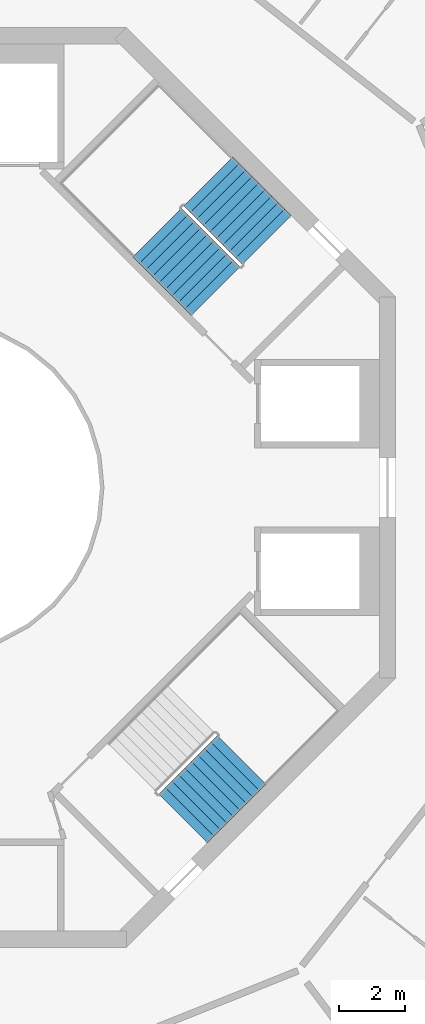
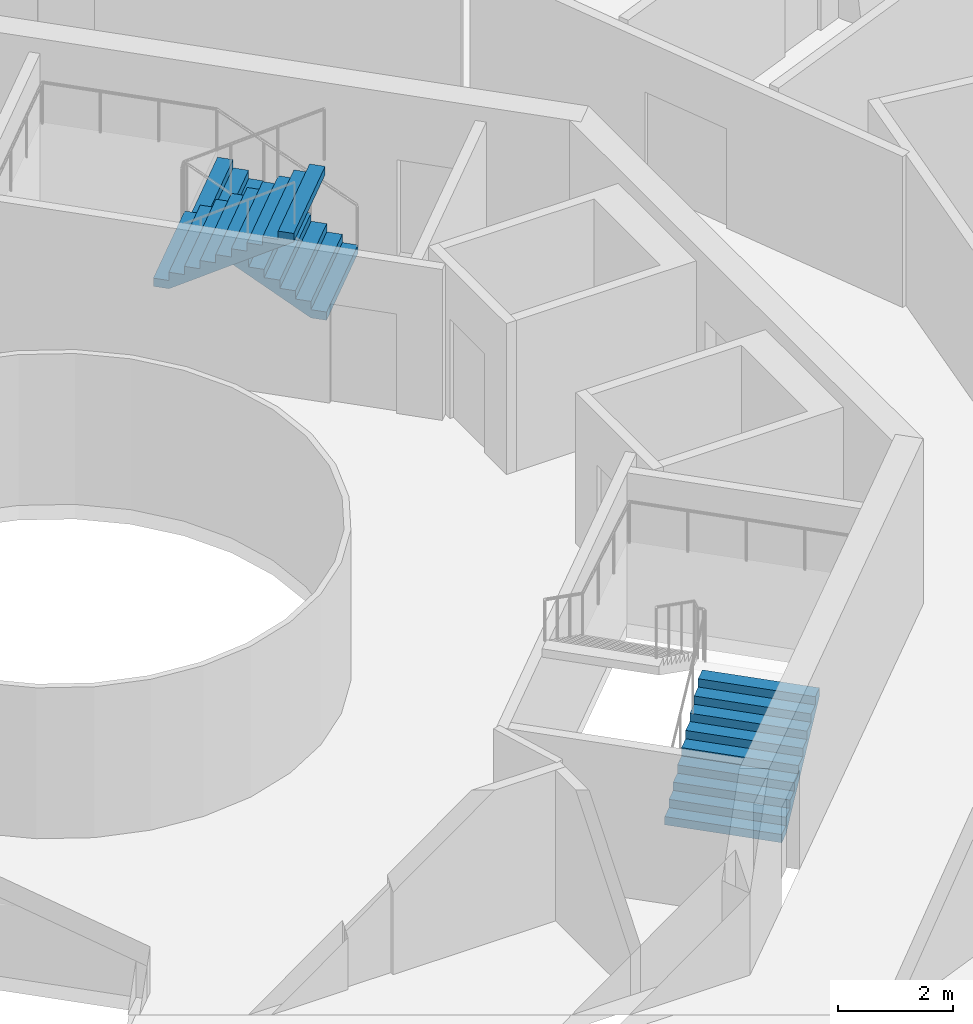
# One storey, part 22 of 23: 3 stair flights, 2 elements without a shape of their own.
"""IFC4 building model written with IfcOpenShell, lengths in metres."""

from ifc_helpers import new_model, si_unit, direction, frame, origin, place, context, subcontext, project, spatial, triangles, material, type_object, element, aggregate, save


model = new_model("IFC4")

# Units and contexts
model_context = context("Model", 3, precision=1e-05, world=origin(), true_north=direction((0.0, 1.0)))
body_context = subcontext(model_context, "Body", "Model", "MODEL_VIEW")
ifc_project = project(units=[si_unit("LENGTHUNIT", "METRE"), si_unit("AREAUNIT", "SQUARE_METRE"), si_unit("VOLUMEUNIT", "CUBIC_METRE"), si_unit("PLANEANGLEUNIT", "RADIAN"), si_unit("MASSUNIT", "GRAM", prefix="KILO")], contexts=[model_context])

# Site, building, storey
site_placement = place(None, origin())
site = spatial("IfcSite", under=ifc_project, at=site_placement, CompositionType="ELEMENT")
building_placement = place(site_placement, origin())
building = spatial("IfcBuilding", under=site, at=building_placement, Name="Verdalira Terraces Hotel", CompositionType="ELEMENT")
storey_placement = place(building_placement, frame((0.0, 0.0, 244.5)))
storey = spatial("IfcBuildingStorey", under=building, at=storey_placement, Name="L60", CompositionType="ELEMENT", Elevation=244.5)

# Stair, stair flights
ifc_material_1 = material(Name="Concrete C40", Category="concrete")
stair_type = type_object("IfcStairType", Name="Core stair 20 risers 2100 mm wide", PredefinedType="HALF_TURN_STAIR", material=ifc_material_1)
stair_1_placement = place(storey_placement, origin())
stair_1 = element("IfcStair", 1, at=stair_1_placement, inside=storey, type_object=stair_type, Name="L60 Exit stair ST1", PredefinedType="HALF_TURN_STAIR")
ifc_material_2 = material(Name="Concrete C40", Category="concrete")
stair_flight_type = type_object("IfcStairFlightType", Name="Core stair flight 20 risers 2100 mm wide", PredefinedType="STRAIGHT", material=ifc_material_2)
stair_flight_1_placement = place(storey_placement, frame((10.076172, 7.530762, 0.0), z_axis=(0.0, 0.0, 1.0), x_axis=(-0.707106781, 0.707106781, 0.0)))
stair_flight_1 = element("IfcStairFlight", 2, at=stair_flight_1_placement, type_object=stair_flight_type, Name="ST1 flight 1", NumberOfRisers=10, NumberOfTreads=9, PredefinedType="STRAIGHT", RiserHeight=0.175, TreadLength=0.28, context=body_context, shape_type="Tessellation", body=[
    triangles([(0.0, 1.050049, 0.0), (0.282715, 1.050049, 0.0), (2.52002, 1.050049, 1.398193), (0.0, -1.050049, 0.0), (0.282715, -1.050049, 0.0), (2.52002, -1.050049, 1.398193), (2.52002, 1.050049, 1.574951), (2.23999, 1.050049, 1.574951), (2.52002, -1.050049, 1.574951), (2.23999, -1.050049, 1.574951), (2.23999, 1.050049, 1.399902), (2.23999, -1.050049, 1.399902), (1.959961, 1.050049, 1.399902), (1.959961, -1.050049, 1.399902), (1.959961, 1.050049, 1.225098), (1.959961, -1.050049, 1.225098), (1.679932, 1.050049, 1.225098), (1.679932, 1.050049, 1.050049), (1.679932, -1.050049, 1.225098), (1.679932, -1.050049, 1.050049), (1.399902, 1.050049, 1.050049), (1.399902, 1.050049, 0.875), (1.399902, -1.050049, 1.050049), (1.399902, -1.050049, 0.875), (1.120117, 1.050049, 0.875), (1.120117, 1.050049, 0.699951), (1.120117, -1.050049, 0.875), (1.120117, -1.050049, 0.699951), (0.840088, 1.050049, 0.699951), (0.840088, 1.050049, 0.524902), (0.840088, -1.050049, 0.699951), (0.840088, -1.050049, 0.524902), (0.560059, 1.050049, 0.524902), (0.560059, 1.050049, 0.350098), (0.560059, -1.050049, 0.524902), (0.560059, -1.050049, 0.350098), (0.280029, 1.050049, 0.350098), (0.280029, 1.050049, 0.175049), (0.280029, -1.050049, 0.350098), (0.280029, -1.050049, 0.175049), (0.0, 1.050049, 0.175049), (0.0, -1.050049, 0.175049), (0.0, -0.984421, 0.0), (0.0, -0.984421, 0.175049), (0.0, -0.918793, 0.0), (0.0, -0.918793, 0.175049), (0.0, -0.853165, 0.0), (0.0, -0.853165, 0.175049), (0.0, -0.787537, 0.0), (0.0, -0.787537, 0.175049), (0.0, -0.721909, 0.0), (0.0, -0.721909, 0.175049), (0.0, -0.656281, 0.0), (0.0, -0.656281, 0.175049), (0.0, -0.590652, 0.0), (0.0, -0.590652, 0.175049), (0.0, -0.525024, 0.0), (0.0, -0.525024, 0.175049), (0.0, -0.459396, 0.0), (0.0, -0.459396, 0.175049), (0.0, -0.393768, 0.0), (0.0, -0.393768, 0.175049), (0.0, -0.32814, 0.0), (0.0, -0.32814, 0.175049), (0.0, -0.262512, 0.0), (0.0, -0.262512, 0.175049), (0.0, -0.196884, 0.0), (0.0, -0.196884, 0.175049), (0.0, -0.131256, 0.0), (0.0, -0.131256, 0.175049), (0.0, -0.065628, 0.0), (0.0, -0.065628, 0.175049), (0.0, 0.0, 0.0), (0.0, 0.0, 0.175049), (0.0, 0.065628, 0.0), (0.0, 0.065628, 0.175049), (0.0, 0.131256, 0.0), (0.0, 0.131256, 0.175049), (0.0, 0.196884, 0.0), (0.0, 0.196884, 0.175049), (0.0, 0.262512, 0.0), (0.0, 0.262512, 0.175049), (0.0, 0.32814, 0.0), (0.0, 0.32814, 0.175049), (0.0, 0.393768, 0.0), (0.0, 0.393768, 0.175049), (0.0, 0.459396, 0.0), (0.0, 0.459396, 0.175049), (0.0, 0.525024, 0.0), (0.0, 0.525024, 0.175049), (0.0, 0.590652, 0.0), (0.0, 0.590652, 0.175049), (0.0, 0.656281, 0.0), (0.0, 0.656281, 0.175049), (0.0, 0.721909, 0.0), (0.0, 0.721909, 0.175049), (0.0, 0.787537, 0.0), (0.0, 0.787537, 0.175049), (0.0, 0.853165, 0.0), (0.0, 0.853165, 0.175049), (0.0, 0.918793, 0.0), (0.0, 0.918793, 0.175049), (0.0, 0.984421, 0.0), (0.0, 0.984421, 0.175049), (2.52002, -0.984421, 1.574951), (2.52002, -0.918793, 1.574951), (2.52002, -0.853165, 1.574951), (2.52002, -0.787537, 1.574951), (2.52002, -0.721909, 1.574951), (2.52002, -0.656281, 1.574951), (2.52002, -0.590652, 1.574951), (2.52002, -0.525024, 1.574951), (2.52002, -0.459396, 1.574951), (2.52002, -0.393768, 1.574951), (2.52002, -0.32814, 1.574951), (2.52002, -0.262512, 1.574951), (2.52002, -0.196884, 1.574951), (2.52002, -0.131256, 1.574951), (2.52002, -0.065628, 1.574951), (2.52002, 0.0, 1.574951), (2.52002, 0.065628, 1.574951), (2.52002, 0.131256, 1.574951), (2.52002, 0.196884, 1.574951), (2.52002, 0.262512, 1.574951), (2.52002, 0.32814, 1.574951), (2.52002, 0.393768, 1.574951), (2.52002, 0.459396, 1.574951), (2.52002, 0.525024, 1.574951), (2.52002, 0.590652, 1.574951), (2.52002, 0.656281, 1.574951), (2.52002, 0.721909, 1.574951), (2.52002, 0.787537, 1.574951), (2.52002, 0.853165, 1.574951), (2.52002, 0.918793, 1.574951), (2.52002, 0.984421, 1.574951), (2.52002, -0.984421, 1.398193), (2.52002, -0.918793, 1.398193), (2.52002, -0.853165, 1.398193), (2.52002, -0.787537, 1.398193), (2.52002, -0.721909, 1.398193), (2.52002, -0.656281, 1.398193), (2.52002, -0.590652, 1.398193), (2.52002, -0.525024, 1.398193), (2.52002, -0.459396, 1.398193), (2.52002, -0.393768, 1.398193), (2.52002, -0.32814, 1.398193), (2.52002, -0.262512, 1.398193), (2.52002, -0.196884, 1.398193), (2.52002, -0.131256, 1.398193), (2.52002, -0.065628, 1.398193), (2.52002, 0.0, 1.398193), (2.52002, 0.065628, 1.398193), (2.52002, 0.131256, 1.398193), (2.52002, 0.196884, 1.398193), (2.52002, 0.262512, 1.398193), (2.52002, 0.32814, 1.398193), (2.52002, 0.393768, 1.398193), (2.52002, 0.459396, 1.398193), (2.52002, 0.525024, 1.398193), (2.52002, 0.590652, 1.398193), (2.52002, 0.656281, 1.398193), (2.52002, 0.721909, 1.398193), (2.52002, 0.787537, 1.398193), (2.52002, 0.853165, 1.398193), (2.52002, 0.918793, 1.398193), (2.52002, 0.984421, 1.398193)], [[1, 3, 2], [4, 5, 6], [3, 8, 7], [6, 9, 10], [3, 11, 8], [6, 10, 12], [3, 13, 11], [6, 12, 14], [3, 15, 13], [6, 14, 16], [15, 18, 17], [16, 19, 20], [3, 18, 15], [6, 16, 20], [18, 22, 21], [20, 23, 24], [3, 22, 18], [6, 20, 24], [22, 26, 25], [24, 27, 28], [3, 26, 22], [6, 24, 28], [26, 30, 29], [28, 31, 32], [3, 30, 26], [6, 28, 32], [1, 30, 3], [4, 6, 32], [30, 34, 33], [32, 35, 36], [34, 38, 37], [36, 39, 40], [30, 38, 34], [32, 36, 40], [1, 38, 30], [4, 32, 40], [38, 1, 41], [40, 42, 4], [4, 44, 43], [4, 42, 44], [43, 46, 45], [43, 44, 46], [45, 48, 47], [45, 46, 48], [47, 50, 49], [47, 48, 50], [49, 52, 51], [49, 50, 52], [51, 54, 53], [51, 52, 54], [53, 56, 55], [53, 54, 56], [55, 58, 57], [55, 56, 58], [57, 60, 59], [57, 58, 60], [59, 62, 61], [59, 60, 62], [61, 64, 63], [61, 62, 64], [63, 66, 65], [63, 64, 66], [65, 68, 67], [65, 66, 68], [67, 70, 69], [67, 68, 70], [69, 72, 71], [69, 70, 72], [71, 74, 73], [71, 72, 74], [73, 76, 75], [73, 74, 76], [75, 78, 77], [75, 76, 78], [77, 80, 79], [77, 78, 80], [79, 82, 81], [79, 80, 82], [81, 84, 83], [81, 82, 84], [83, 86, 85], [83, 84, 86], [85, 88, 87], [85, 86, 88], [87, 90, 89], [87, 88, 90], [89, 92, 91], [89, 90, 92], [91, 94, 93], [91, 92, 94], [93, 96, 95], [93, 94, 96], [95, 98, 97], [95, 96, 98], [97, 100, 99], [97, 98, 100], [99, 102, 101], [99, 100, 102], [101, 104, 103], [101, 102, 104], [103, 41, 1], [103, 104, 41], [42, 40, 44], [44, 40, 46], [46, 40, 48], [48, 40, 50], [50, 40, 52], [52, 40, 54], [54, 40, 56], [56, 40, 58], [58, 40, 60], [60, 40, 62], [62, 40, 64], [64, 40, 66], [66, 40, 68], [68, 40, 70], [70, 40, 72], [72, 40, 74], [74, 40, 76], [76, 40, 78], [78, 40, 80], [80, 40, 82], [82, 40, 84], [84, 40, 86], [86, 40, 88], [88, 40, 90], [90, 40, 92], [92, 40, 94], [94, 40, 96], [96, 40, 98], [98, 40, 100], [100, 40, 102], [102, 40, 104], [104, 40, 41], [41, 40, 38], [40, 37, 38], [40, 39, 37], [39, 34, 37], [39, 36, 34], [36, 33, 34], [36, 35, 33], [35, 30, 33], [35, 32, 30], [32, 29, 30], [32, 31, 29], [31, 26, 29], [31, 28, 26], [28, 25, 26], [28, 27, 25], [27, 22, 25], [27, 24, 22], [24, 21, 22], [24, 23, 21], [23, 18, 21], [23, 20, 18], [20, 17, 18], [20, 19, 17], [19, 15, 17], [19, 16, 15], [16, 13, 15], [16, 14, 13], [14, 11, 13], [14, 12, 11], [12, 8, 11], [12, 10, 8], [9, 105, 10], [105, 106, 10], [106, 107, 10], [107, 108, 10], [108, 109, 10], [109, 110, 10], [110, 111, 10], [111, 112, 10], [112, 113, 10], [113, 114, 10], [114, 115, 10], [115, 116, 10], [116, 117, 10], [117, 118, 10], [118, 119, 10], [119, 120, 10], [120, 121, 10], [121, 122, 10], [122, 123, 10], [123, 124, 10], [124, 125, 10], [125, 126, 10], [126, 127, 10], [127, 128, 10], [128, 129, 10], [129, 130, 10], [130, 131, 10], [131, 132, 10], [132, 133, 10], [133, 134, 10], [134, 135, 10], [135, 7, 10], [7, 8, 10], [9, 136, 105], [9, 6, 136], [105, 137, 106], [105, 136, 137], [106, 138, 107], [106, 137, 138], [107, 139, 108], [107, 138, 139], [108, 140, 109], [108, 139, 140], [109, 141, 110], [109, 140, 141], [110, 142, 111], [110, 141, 142], [111, 143, 112], [111, 142, 143], [112, 144, 113], [112, 143, 144], [113, 145, 114], [113, 144, 145], [114, 146, 115], [114, 145, 146], [115, 147, 116], [115, 146, 147], [116, 148, 117], [116, 147, 148], [117, 149, 118], [117, 148, 149], [118, 150, 119], [118, 149, 150], [119, 151, 120], [119, 150, 151], [120, 152, 121], [120, 151, 152], [121, 153, 122], [121, 152, 153], [122, 154, 123], [122, 153, 154], [123, 155, 124], [123, 154, 155], [124, 156, 125], [124, 155, 156], [125, 157, 126], [125, 156, 157], [126, 158, 127], [126, 157, 158], [127, 159, 128], [127, 158, 159], [128, 160, 129], [128, 159, 160], [129, 161, 130], [129, 160, 161], [130, 162, 131], [130, 161, 162], [131, 163, 132], [131, 162, 163], [132, 164, 133], [132, 163, 164], [133, 165, 134], [133, 164, 165], [134, 166, 135], [134, 165, 166], [135, 3, 7], [135, 166, 3], [6, 5, 136], [136, 5, 137], [137, 5, 138], [138, 5, 139], [139, 5, 140], [140, 5, 141], [141, 5, 142], [142, 5, 143], [143, 5, 144], [144, 5, 145], [145, 5, 146], [146, 5, 147], [147, 5, 148], [148, 5, 149], [149, 5, 150], [150, 5, 151], [151, 5, 152], [152, 5, 153], [153, 5, 154], [154, 5, 155], [155, 5, 156], [156, 5, 157], [157, 5, 158], [158, 5, 159], [159, 5, 160], [160, 5, 161], [161, 5, 162], [162, 5, 163], [163, 5, 164], [164, 5, 165], [165, 5, 166], [166, 5, 3], [3, 5, 2], [4, 43, 5], [43, 45, 5], [45, 47, 5], [47, 49, 5], [49, 51, 5], [51, 53, 5], [53, 55, 5], [55, 57, 5], [57, 59, 5], [59, 61, 5], [61, 63, 5], [63, 65, 5], [65, 67, 5], [67, 69, 5], [69, 71, 5], [71, 73, 5], [73, 75, 5], [75, 77, 5], [77, 79, 5], [79, 81, 5], [81, 83, 5], [83, 85, 5], [85, 87, 5], [87, 89, 5], [89, 91, 5], [91, 93, 5], [93, 95, 5], [95, 97, 5], [97, 99, 5], [99, 101, 5], [101, 103, 5], [103, 1, 5], [1, 2, 5]], closed=True),
])
stair_flight_2_placement = place(storey_placement, frame((6.73877, 7.75708, 1.75), z_axis=(0.0, 0.0, 1.0), x_axis=(0.707106781, -0.707106781, 0.0)))
stair_flight_2 = element("IfcStairFlight", 3, at=stair_flight_2_placement, type_object=stair_flight_type, Name="ST1 flight 2", NumberOfRisers=10, NumberOfTreads=9, PredefinedType="STRAIGHT", RiserHeight=0.175, TreadLength=0.28, context=body_context, shape_type="Tessellation", body=[
    triangles([(0.0, 1.050049, 0.0), (0.282715, 1.050049, 0.0), (2.52002, 1.050049, 1.398193), (0.0, -1.050049, 0.0), (0.282715, -1.050049, 0.0), (2.52002, -1.050049, 1.398193), (2.52002, 1.050049, 1.574951), (2.23999, 1.050049, 1.574951), (2.52002, -1.050049, 1.574951), (2.23999, -1.050049, 1.574951), (2.23999, 1.050049, 1.399902), (2.23999, -1.050049, 1.399902), (1.959961, 1.050049, 1.399902), (1.959961, -1.050049, 1.399902), (1.959961, 1.050049, 1.225098), (1.959961, -1.050049, 1.225098), (1.679932, 1.050049, 1.225098), (1.679932, 1.050049, 1.050049), (1.679932, -1.050049, 1.225098), (1.679932, -1.050049, 1.050049), (1.399902, 1.050049, 1.050049), (1.399902, 1.050049, 0.875), (1.399902, -1.050049, 1.050049), (1.399902, -1.050049, 0.875), (1.120117, 1.050049, 0.875), (1.120117, 1.050049, 0.699951), (1.120117, -1.050049, 0.875), (1.120117, -1.050049, 0.699951), (0.840088, 1.050049, 0.699951), (0.840088, 1.050049, 0.524902), (0.840088, -1.050049, 0.699951), (0.840088, -1.050049, 0.524902), (0.560059, 1.050049, 0.524902), (0.560059, 1.050049, 0.350098), (0.560059, -1.050049, 0.524902), (0.560059, -1.050049, 0.350098), (0.280029, 1.050049, 0.350098), (0.280029, 1.050049, 0.175049), (0.280029, -1.050049, 0.350098), (0.280029, -1.050049, 0.175049), (0.0, 1.050049, 0.175049), (0.0, -1.050049, 0.175049), (0.0, -0.984421, 0.0), (0.0, -0.984421, 0.175049), (0.0, -0.918793, 0.0), (0.0, -0.918793, 0.175049), (0.0, -0.853165, 0.0), (0.0, -0.853165, 0.175049), (0.0, -0.787537, 0.0), (0.0, -0.787537, 0.175049), (0.0, -0.721909, 0.0), (0.0, -0.721909, 0.175049), (0.0, -0.656281, 0.0), (0.0, -0.656281, 0.175049), (0.0, -0.590652, 0.0), (0.0, -0.590652, 0.175049), (0.0, -0.525024, 0.0), (0.0, -0.525024, 0.175049), (0.0, -0.459396, 0.0), (0.0, -0.459396, 0.175049), (0.0, -0.393768, 0.0), (0.0, -0.393768, 0.175049), (0.0, -0.32814, 0.0), (0.0, -0.32814, 0.175049), (0.0, -0.262512, 0.0), (0.0, -0.262512, 0.175049), (0.0, -0.196884, 0.0), (0.0, -0.196884, 0.175049), (0.0, -0.131256, 0.0), (0.0, -0.131256, 0.175049), (0.0, -0.065628, 0.0), (0.0, -0.065628, 0.175049), (0.0, 0.0, 0.0), (0.0, 0.0, 0.175049), (0.0, 0.065628, 0.0), (0.0, 0.065628, 0.175049), (0.0, 0.131256, 0.0), (0.0, 0.131256, 0.175049), (0.0, 0.196884, 0.0), (0.0, 0.196884, 0.175049), (0.0, 0.262512, 0.0), (0.0, 0.262512, 0.175049), (0.0, 0.32814, 0.0), (0.0, 0.32814, 0.175049), (0.0, 0.393768, 0.0), (0.0, 0.393768, 0.175049), (0.0, 0.459396, 0.0), (0.0, 0.459396, 0.175049), (0.0, 0.525024, 0.0), (0.0, 0.525024, 0.175049), (0.0, 0.590652, 0.0), (0.0, 0.590652, 0.175049), (0.0, 0.656281, 0.0), (0.0, 0.656281, 0.175049), (0.0, 0.721909, 0.0), (0.0, 0.721909, 0.175049), (0.0, 0.787537, 0.0), (0.0, 0.787537, 0.175049), (0.0, 0.853165, 0.0), (0.0, 0.853165, 0.175049), (0.0, 0.918793, 0.0), (0.0, 0.918793, 0.175049), (0.0, 0.984421, 0.0), (0.0, 0.984421, 0.175049), (2.52002, -0.984421, 1.574951), (2.52002, -0.918793, 1.574951), (2.52002, -0.853165, 1.574951), (2.52002, -0.787537, 1.574951), (2.52002, -0.721909, 1.574951), (2.52002, -0.656281, 1.574951), (2.52002, -0.590652, 1.574951), (2.52002, -0.525024, 1.574951), (2.52002, -0.459396, 1.574951), (2.52002, -0.393768, 1.574951), (2.52002, -0.32814, 1.574951), (2.52002, -0.262512, 1.574951), (2.52002, -0.196884, 1.574951), (2.52002, -0.131256, 1.574951), (2.52002, -0.065628, 1.574951), (2.52002, 0.0, 1.574951), (2.52002, 0.065628, 1.574951), (2.52002, 0.131256, 1.574951), (2.52002, 0.196884, 1.574951), (2.52002, 0.262512, 1.574951), (2.52002, 0.32814, 1.574951), (2.52002, 0.393768, 1.574951), (2.52002, 0.459396, 1.574951), (2.52002, 0.525024, 1.574951), (2.52002, 0.590652, 1.574951), (2.52002, 0.656281, 1.574951), (2.52002, 0.721909, 1.574951), (2.52002, 0.787537, 1.574951), (2.52002, 0.853165, 1.574951), (2.52002, 0.918793, 1.574951), (2.52002, 0.984421, 1.574951), (2.52002, -0.984421, 1.398193), (2.52002, -0.918793, 1.398193), (2.52002, -0.853165, 1.398193), (2.52002, -0.787537, 1.398193), (2.52002, -0.721909, 1.398193), (2.52002, -0.656281, 1.398193), (2.52002, -0.590652, 1.398193), (2.52002, -0.525024, 1.398193), (2.52002, -0.459396, 1.398193), (2.52002, -0.393768, 1.398193), (2.52002, -0.32814, 1.398193), (2.52002, -0.262512, 1.398193), (2.52002, -0.196884, 1.398193), (2.52002, -0.131256, 1.398193), (2.52002, -0.065628, 1.398193), (2.52002, 0.0, 1.398193), (2.52002, 0.065628, 1.398193), (2.52002, 0.131256, 1.398193), (2.52002, 0.196884, 1.398193), (2.52002, 0.262512, 1.398193), (2.52002, 0.32814, 1.398193), (2.52002, 0.393768, 1.398193), (2.52002, 0.459396, 1.398193), (2.52002, 0.525024, 1.398193), (2.52002, 0.590652, 1.398193), (2.52002, 0.656281, 1.398193), (2.52002, 0.721909, 1.398193), (2.52002, 0.787537, 1.398193), (2.52002, 0.853165, 1.398193), (2.52002, 0.918793, 1.398193), (2.52002, 0.984421, 1.398193)], [[1, 3, 2], [4, 5, 6], [3, 8, 7], [6, 9, 10], [3, 11, 8], [6, 10, 12], [3, 13, 11], [6, 12, 14], [3, 15, 13], [6, 14, 16], [15, 18, 17], [16, 19, 20], [3, 18, 15], [6, 16, 20], [18, 22, 21], [20, 23, 24], [3, 22, 18], [6, 20, 24], [22, 26, 25], [24, 27, 28], [3, 26, 22], [6, 24, 28], [26, 30, 29], [28, 31, 32], [3, 30, 26], [6, 28, 32], [1, 30, 3], [4, 6, 32], [30, 34, 33], [32, 35, 36], [34, 38, 37], [36, 39, 40], [30, 38, 34], [32, 36, 40], [1, 38, 30], [4, 32, 40], [38, 1, 41], [40, 42, 4], [4, 44, 43], [4, 42, 44], [43, 46, 45], [43, 44, 46], [45, 48, 47], [45, 46, 48], [47, 50, 49], [47, 48, 50], [49, 52, 51], [49, 50, 52], [51, 54, 53], [51, 52, 54], [53, 56, 55], [53, 54, 56], [55, 58, 57], [55, 56, 58], [57, 60, 59], [57, 58, 60], [59, 62, 61], [59, 60, 62], [61, 64, 63], [61, 62, 64], [63, 66, 65], [63, 64, 66], [65, 68, 67], [65, 66, 68], [67, 70, 69], [67, 68, 70], [69, 72, 71], [69, 70, 72], [71, 74, 73], [71, 72, 74], [73, 76, 75], [73, 74, 76], [75, 78, 77], [75, 76, 78], [77, 80, 79], [77, 78, 80], [79, 82, 81], [79, 80, 82], [81, 84, 83], [81, 82, 84], [83, 86, 85], [83, 84, 86], [85, 88, 87], [85, 86, 88], [87, 90, 89], [87, 88, 90], [89, 92, 91], [89, 90, 92], [91, 94, 93], [91, 92, 94], [93, 96, 95], [93, 94, 96], [95, 98, 97], [95, 96, 98], [97, 100, 99], [97, 98, 100], [99, 102, 101], [99, 100, 102], [101, 104, 103], [101, 102, 104], [103, 41, 1], [103, 104, 41], [42, 40, 44], [44, 40, 46], [46, 40, 48], [48, 40, 50], [50, 40, 52], [52, 40, 54], [54, 40, 56], [56, 40, 58], [58, 40, 60], [60, 40, 62], [62, 40, 64], [64, 40, 66], [66, 40, 68], [68, 40, 70], [70, 40, 72], [72, 40, 74], [74, 40, 76], [76, 40, 78], [78, 40, 80], [80, 40, 82], [82, 40, 84], [84, 40, 86], [86, 40, 88], [88, 40, 90], [90, 40, 92], [92, 40, 94], [94, 40, 96], [96, 40, 98], [98, 40, 100], [100, 40, 102], [102, 40, 104], [104, 40, 41], [41, 40, 38], [40, 37, 38], [40, 39, 37], [39, 34, 37], [39, 36, 34], [36, 33, 34], [36, 35, 33], [35, 30, 33], [35, 32, 30], [32, 29, 30], [32, 31, 29], [31, 26, 29], [31, 28, 26], [28, 25, 26], [28, 27, 25], [27, 22, 25], [27, 24, 22], [24, 21, 22], [24, 23, 21], [23, 18, 21], [23, 20, 18], [20, 17, 18], [20, 19, 17], [19, 15, 17], [19, 16, 15], [16, 13, 15], [16, 14, 13], [14, 11, 13], [14, 12, 11], [12, 8, 11], [12, 10, 8], [9, 105, 10], [105, 106, 10], [106, 107, 10], [107, 108, 10], [108, 109, 10], [109, 110, 10], [110, 111, 10], [111, 112, 10], [112, 113, 10], [113, 114, 10], [114, 115, 10], [115, 116, 10], [116, 117, 10], [117, 118, 10], [118, 119, 10], [119, 120, 10], [120, 121, 10], [121, 122, 10], [122, 123, 10], [123, 124, 10], [124, 125, 10], [125, 126, 10], [126, 127, 10], [127, 128, 10], [128, 129, 10], [129, 130, 10], [130, 131, 10], [131, 132, 10], [132, 133, 10], [133, 134, 10], [134, 135, 10], [135, 7, 10], [7, 8, 10], [9, 136, 105], [9, 6, 136], [105, 137, 106], [105, 136, 137], [106, 138, 107], [106, 137, 138], [107, 139, 108], [107, 138, 139], [108, 140, 109], [108, 139, 140], [109, 141, 110], [109, 140, 141], [110, 142, 111], [110, 141, 142], [111, 143, 112], [111, 142, 143], [112, 144, 113], [112, 143, 144], [113, 145, 114], [113, 144, 145], [114, 146, 115], [114, 145, 146], [115, 147, 116], [115, 146, 147], [116, 148, 117], [116, 147, 148], [117, 149, 118], [117, 148, 149], [118, 150, 119], [118, 149, 150], [119, 151, 120], [119, 150, 151], [120, 152, 121], [120, 151, 152], [121, 153, 122], [121, 152, 153], [122, 154, 123], [122, 153, 154], [123, 155, 124], [123, 154, 155], [124, 156, 125], [124, 155, 156], [125, 157, 126], [125, 156, 157], [126, 158, 127], [126, 157, 158], [127, 159, 128], [127, 158, 159], [128, 160, 129], [128, 159, 160], [129, 161, 130], [129, 160, 161], [130, 162, 131], [130, 161, 162], [131, 163, 132], [131, 162, 163], [132, 164, 133], [132, 163, 164], [133, 165, 134], [133, 164, 165], [134, 166, 135], [134, 165, 166], [135, 3, 7], [135, 166, 3], [6, 5, 136], [136, 5, 137], [137, 5, 138], [138, 5, 139], [139, 5, 140], [140, 5, 141], [141, 5, 142], [142, 5, 143], [143, 5, 144], [144, 5, 145], [145, 5, 146], [146, 5, 147], [147, 5, 148], [148, 5, 149], [149, 5, 150], [150, 5, 151], [151, 5, 152], [152, 5, 153], [153, 5, 154], [154, 5, 155], [155, 5, 156], [156, 5, 157], [157, 5, 158], [158, 5, 159], [159, 5, 160], [160, 5, 161], [161, 5, 162], [162, 5, 163], [163, 5, 164], [164, 5, 165], [165, 5, 166], [166, 5, 3], [3, 5, 2], [4, 43, 5], [43, 45, 5], [45, 47, 5], [47, 49, 5], [49, 51, 5], [51, 53, 5], [53, 55, 5], [55, 57, 5], [57, 59, 5], [59, 61, 5], [61, 63, 5], [63, 65, 5], [65, 67, 5], [67, 69, 5], [69, 71, 5], [71, 73, 5], [73, 75, 5], [75, 77, 5], [77, 79, 5], [79, 81, 5], [81, 83, 5], [83, 85, 5], [85, 87, 5], [87, 89, 5], [89, 91, 5], [91, 93, 5], [93, 95, 5], [95, 97, 5], [97, 99, 5], [99, 101, 5], [101, 103, 5], [103, 1, 5], [1, 2, 5]], closed=True),
])
aggregate(stair_1, [stair_flight_1, stair_flight_2])

# Stair, stair flight
stair_2_placement = place(storey_placement, origin())
stair_2 = element("IfcStair", 4, at=stair_2_placement, inside=storey, type_object=stair_type, Name="L60 Exit stair ST3", PredefinedType="HALF_TURN_STAIR")
stair_flight_3_placement = place(storey_placement, frame((7.530762, -10.076172, 0.0), z_axis=(0.0, 0.0, 1.0), x_axis=(0.707106781, 0.707106781, 0.0)))
stair_flight_3 = element("IfcStairFlight", 5, at=stair_flight_3_placement, type_object=stair_flight_type, Name="ST3 flight 1", NumberOfRisers=10, NumberOfTreads=9, PredefinedType="STRAIGHT", RiserHeight=0.175, TreadLength=0.28, context=body_context, shape_type="Tessellation", body=[
    triangles([(0.0, 1.050049, 0.0), (0.282715, 1.050049, 0.0), (2.52002, 1.050049, 1.398193), (0.0, -1.050049, 0.0), (0.282715, -1.050049, 0.0), (2.52002, -1.050049, 1.398193), (2.52002, 1.050049, 1.574951), (2.23999, 1.050049, 1.574951), (2.52002, -1.050049, 1.574951), (2.23999, -1.050049, 1.574951), (2.23999, 1.050049, 1.399902), (2.23999, -1.050049, 1.399902), (1.959961, 1.050049, 1.399902), (1.959961, -1.050049, 1.399902), (1.959961, 1.050049, 1.225098), (1.959961, -1.050049, 1.225098), (1.679932, 1.050049, 1.225098), (1.679932, 1.050049, 1.050049), (1.679932, -1.050049, 1.225098), (1.679932, -1.050049, 1.050049), (1.399902, 1.050049, 1.050049), (1.399902, 1.050049, 0.875), (1.399902, -1.050049, 1.050049), (1.399902, -1.050049, 0.875), (1.120117, 1.050049, 0.875), (1.120117, 1.050049, 0.699951), (1.120117, -1.050049, 0.875), (1.120117, -1.050049, 0.699951), (0.840088, 1.050049, 0.699951), (0.840088, 1.050049, 0.524902), (0.840088, -1.050049, 0.699951), (0.840088, -1.050049, 0.524902), (0.560059, 1.050049, 0.524902), (0.560059, 1.050049, 0.350098), (0.560059, -1.050049, 0.524902), (0.560059, -1.050049, 0.350098), (0.280029, 1.050049, 0.350098), (0.280029, 1.050049, 0.175049), (0.280029, -1.050049, 0.350098), (0.280029, -1.050049, 0.175049), (0.0, 1.050049, 0.175049), (0.0, -1.050049, 0.175049), (0.0, -0.984421, 0.0), (0.0, -0.984421, 0.175049), (0.0, -0.918793, 0.0), (0.0, -0.918793, 0.175049), (0.0, -0.853165, 0.0), (0.0, -0.853165, 0.175049), (0.0, -0.787537, 0.0), (0.0, -0.787537, 0.175049), (0.0, -0.721909, 0.0), (0.0, -0.721909, 0.175049), (0.0, -0.656281, 0.0), (0.0, -0.656281, 0.175049), (0.0, -0.590652, 0.0), (0.0, -0.590652, 0.175049), (0.0, -0.525024, 0.0), (0.0, -0.525024, 0.175049), (0.0, -0.459396, 0.0), (0.0, -0.459396, 0.175049), (0.0, -0.393768, 0.0), (0.0, -0.393768, 0.175049), (0.0, -0.32814, 0.0), (0.0, -0.32814, 0.175049), (0.0, -0.262512, 0.0), (0.0, -0.262512, 0.175049), (0.0, -0.196884, 0.0), (0.0, -0.196884, 0.175049), (0.0, -0.131256, 0.0), (0.0, -0.131256, 0.175049), (0.0, -0.065628, 0.0), (0.0, -0.065628, 0.175049), (0.0, 0.0, 0.0), (0.0, 0.0, 0.175049), (0.0, 0.065628, 0.0), (0.0, 0.065628, 0.175049), (0.0, 0.131256, 0.0), (0.0, 0.131256, 0.175049), (0.0, 0.196884, 0.0), (0.0, 0.196884, 0.175049), (0.0, 0.262512, 0.0), (0.0, 0.262512, 0.175049), (0.0, 0.32814, 0.0), (0.0, 0.32814, 0.175049), (0.0, 0.393768, 0.0), (0.0, 0.393768, 0.175049), (0.0, 0.459396, 0.0), (0.0, 0.459396, 0.175049), (0.0, 0.525024, 0.0), (0.0, 0.525024, 0.175049), (0.0, 0.590652, 0.0), (0.0, 0.590652, 0.175049), (0.0, 0.656281, 0.0), (0.0, 0.656281, 0.175049), (0.0, 0.721909, 0.0), (0.0, 0.721909, 0.175049), (0.0, 0.787537, 0.0), (0.0, 0.787537, 0.175049), (0.0, 0.853165, 0.0), (0.0, 0.853165, 0.175049), (0.0, 0.918793, 0.0), (0.0, 0.918793, 0.175049), (0.0, 0.984421, 0.0), (0.0, 0.984421, 0.175049), (2.52002, -0.984421, 1.574951), (2.52002, -0.918793, 1.574951), (2.52002, -0.853165, 1.574951), (2.52002, -0.787537, 1.574951), (2.52002, -0.721909, 1.574951), (2.52002, -0.656281, 1.574951), (2.52002, -0.590652, 1.574951), (2.52002, -0.525024, 1.574951), (2.52002, -0.459396, 1.574951), (2.52002, -0.393768, 1.574951), (2.52002, -0.32814, 1.574951), (2.52002, -0.262512, 1.574951), (2.52002, -0.196884, 1.574951), (2.52002, -0.131256, 1.574951), (2.52002, -0.065628, 1.574951), (2.52002, 0.0, 1.574951), (2.52002, 0.065628, 1.574951), (2.52002, 0.131256, 1.574951), (2.52002, 0.196884, 1.574951), (2.52002, 0.262512, 1.574951), (2.52002, 0.32814, 1.574951), (2.52002, 0.393768, 1.574951), (2.52002, 0.459396, 1.574951), (2.52002, 0.525024, 1.574951), (2.52002, 0.590652, 1.574951), (2.52002, 0.656281, 1.574951), (2.52002, 0.721909, 1.574951), (2.52002, 0.787537, 1.574951), (2.52002, 0.853165, 1.574951), (2.52002, 0.918793, 1.574951), (2.52002, 0.984421, 1.574951), (2.52002, -0.984421, 1.398193), (2.52002, -0.918793, 1.398193), (2.52002, -0.853165, 1.398193), (2.52002, -0.787537, 1.398193), (2.52002, -0.721909, 1.398193), (2.52002, -0.656281, 1.398193), (2.52002, -0.590652, 1.398193), (2.52002, -0.525024, 1.398193), (2.52002, -0.459396, 1.398193), (2.52002, -0.393768, 1.398193), (2.52002, -0.32814, 1.398193), (2.52002, -0.262512, 1.398193), (2.52002, -0.196884, 1.398193), (2.52002, -0.131256, 1.398193), (2.52002, -0.065628, 1.398193), (2.52002, 0.0, 1.398193), (2.52002, 0.065628, 1.398193), (2.52002, 0.131256, 1.398193), (2.52002, 0.196884, 1.398193), (2.52002, 0.262512, 1.398193), (2.52002, 0.32814, 1.398193), (2.52002, 0.393768, 1.398193), (2.52002, 0.459396, 1.398193), (2.52002, 0.525024, 1.398193), (2.52002, 0.590652, 1.398193), (2.52002, 0.656281, 1.398193), (2.52002, 0.721909, 1.398193), (2.52002, 0.787537, 1.398193), (2.52002, 0.853165, 1.398193), (2.52002, 0.918793, 1.398193), (2.52002, 0.984421, 1.398193)], [[1, 3, 2], [4, 5, 6], [3, 8, 7], [6, 9, 10], [3, 11, 8], [6, 10, 12], [3, 13, 11], [6, 12, 14], [3, 15, 13], [6, 14, 16], [15, 18, 17], [16, 19, 20], [3, 18, 15], [6, 16, 20], [18, 22, 21], [20, 23, 24], [3, 22, 18], [6, 20, 24], [22, 26, 25], [24, 27, 28], [3, 26, 22], [6, 24, 28], [26, 30, 29], [28, 31, 32], [3, 30, 26], [6, 28, 32], [1, 30, 3], [4, 6, 32], [30, 34, 33], [32, 35, 36], [34, 38, 37], [36, 39, 40], [30, 38, 34], [32, 36, 40], [1, 38, 30], [4, 32, 40], [38, 1, 41], [40, 42, 4], [4, 44, 43], [4, 42, 44], [43, 46, 45], [43, 44, 46], [45, 48, 47], [45, 46, 48], [47, 50, 49], [47, 48, 50], [49, 52, 51], [49, 50, 52], [51, 54, 53], [51, 52, 54], [53, 56, 55], [53, 54, 56], [55, 58, 57], [55, 56, 58], [57, 60, 59], [57, 58, 60], [59, 62, 61], [59, 60, 62], [61, 64, 63], [61, 62, 64], [63, 66, 65], [63, 64, 66], [65, 68, 67], [65, 66, 68], [67, 70, 69], [67, 68, 70], [69, 72, 71], [69, 70, 72], [71, 74, 73], [71, 72, 74], [73, 76, 75], [73, 74, 76], [75, 78, 77], [75, 76, 78], [77, 80, 79], [77, 78, 80], [79, 82, 81], [79, 80, 82], [81, 84, 83], [81, 82, 84], [83, 86, 85], [83, 84, 86], [85, 88, 87], [85, 86, 88], [87, 90, 89], [87, 88, 90], [89, 92, 91], [89, 90, 92], [91, 94, 93], [91, 92, 94], [93, 96, 95], [93, 94, 96], [95, 98, 97], [95, 96, 98], [97, 100, 99], [97, 98, 100], [99, 102, 101], [99, 100, 102], [101, 104, 103], [101, 102, 104], [103, 41, 1], [103, 104, 41], [42, 40, 44], [44, 40, 46], [46, 40, 48], [48, 40, 50], [50, 40, 52], [52, 40, 54], [54, 40, 56], [56, 40, 58], [58, 40, 60], [60, 40, 62], [62, 40, 64], [64, 40, 66], [66, 40, 68], [68, 40, 70], [70, 40, 72], [72, 40, 74], [74, 40, 76], [76, 40, 78], [78, 40, 80], [80, 40, 82], [82, 40, 84], [84, 40, 86], [86, 40, 88], [88, 40, 90], [90, 40, 92], [92, 40, 94], [94, 40, 96], [96, 40, 98], [98, 40, 100], [100, 40, 102], [102, 40, 104], [104, 40, 41], [41, 40, 38], [40, 37, 38], [40, 39, 37], [39, 34, 37], [39, 36, 34], [36, 33, 34], [36, 35, 33], [35, 30, 33], [35, 32, 30], [32, 29, 30], [32, 31, 29], [31, 26, 29], [31, 28, 26], [28, 25, 26], [28, 27, 25], [27, 22, 25], [27, 24, 22], [24, 21, 22], [24, 23, 21], [23, 18, 21], [23, 20, 18], [20, 17, 18], [20, 19, 17], [19, 15, 17], [19, 16, 15], [16, 13, 15], [16, 14, 13], [14, 11, 13], [14, 12, 11], [12, 8, 11], [12, 10, 8], [9, 105, 10], [105, 106, 10], [106, 107, 10], [107, 108, 10], [108, 109, 10], [109, 110, 10], [110, 111, 10], [111, 112, 10], [112, 113, 10], [113, 114, 10], [114, 115, 10], [115, 116, 10], [116, 117, 10], [117, 118, 10], [118, 119, 10], [119, 120, 10], [120, 121, 10], [121, 122, 10], [122, 123, 10], [123, 124, 10], [124, 125, 10], [125, 126, 10], [126, 127, 10], [127, 128, 10], [128, 129, 10], [129, 130, 10], [130, 131, 10], [131, 132, 10], [132, 133, 10], [133, 134, 10], [134, 135, 10], [135, 7, 10], [7, 8, 10], [9, 136, 105], [9, 6, 136], [105, 137, 106], [105, 136, 137], [106, 138, 107], [106, 137, 138], [107, 139, 108], [107, 138, 139], [108, 140, 109], [108, 139, 140], [109, 141, 110], [109, 140, 141], [110, 142, 111], [110, 141, 142], [111, 143, 112], [111, 142, 143], [112, 144, 113], [112, 143, 144], [113, 145, 114], [113, 144, 145], [114, 146, 115], [114, 145, 146], [115, 147, 116], [115, 146, 147], [116, 148, 117], [116, 147, 148], [117, 149, 118], [117, 148, 149], [118, 150, 119], [118, 149, 150], [119, 151, 120], [119, 150, 151], [120, 152, 121], [120, 151, 152], [121, 153, 122], [121, 152, 153], [122, 154, 123], [122, 153, 154], [123, 155, 124], [123, 154, 155], [124, 156, 125], [124, 155, 156], [125, 157, 126], [125, 156, 157], [126, 158, 127], [126, 157, 158], [127, 159, 128], [127, 158, 159], [128, 160, 129], [128, 159, 160], [129, 161, 130], [129, 160, 161], [130, 162, 131], [130, 161, 162], [131, 163, 132], [131, 162, 163], [132, 164, 133], [132, 163, 164], [133, 165, 134], [133, 164, 165], [134, 166, 135], [134, 165, 166], [135, 3, 7], [135, 166, 3], [6, 5, 136], [136, 5, 137], [137, 5, 138], [138, 5, 139], [139, 5, 140], [140, 5, 141], [141, 5, 142], [142, 5, 143], [143, 5, 144], [144, 5, 145], [145, 5, 146], [146, 5, 147], [147, 5, 148], [148, 5, 149], [149, 5, 150], [150, 5, 151], [151, 5, 152], [152, 5, 153], [153, 5, 154], [154, 5, 155], [155, 5, 156], [156, 5, 157], [157, 5, 158], [158, 5, 159], [159, 5, 160], [160, 5, 161], [161, 5, 162], [162, 5, 163], [163, 5, 164], [164, 5, 165], [165, 5, 166], [166, 5, 3], [3, 5, 2], [4, 43, 5], [43, 45, 5], [45, 47, 5], [47, 49, 5], [49, 51, 5], [51, 53, 5], [53, 55, 5], [55, 57, 5], [57, 59, 5], [59, 61, 5], [61, 63, 5], [63, 65, 5], [65, 67, 5], [67, 69, 5], [69, 71, 5], [71, 73, 5], [73, 75, 5], [75, 77, 5], [77, 79, 5], [79, 81, 5], [81, 83, 5], [83, 85, 5], [85, 87, 5], [87, 89, 5], [89, 91, 5], [91, 93, 5], [93, 95, 5], [95, 97, 5], [97, 99, 5], [99, 101, 5], [101, 103, 5], [103, 1, 5], [1, 2, 5]], closed=True),
])
aggregate(stair_2, [stair_flight_3])

save(model, "model.ifc")
